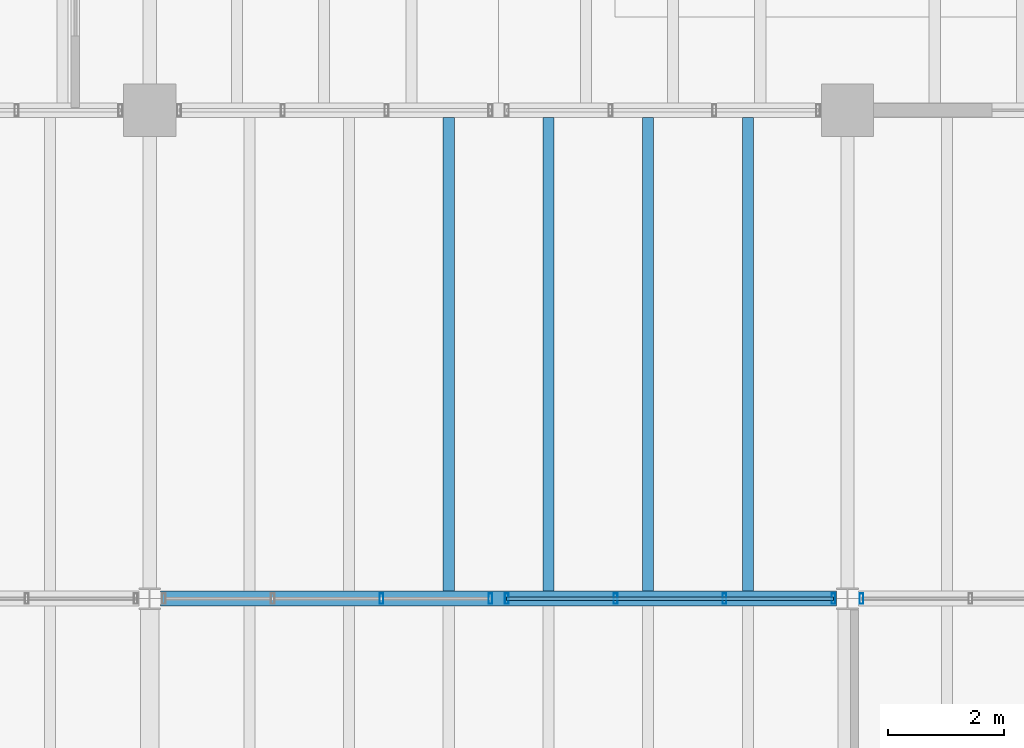
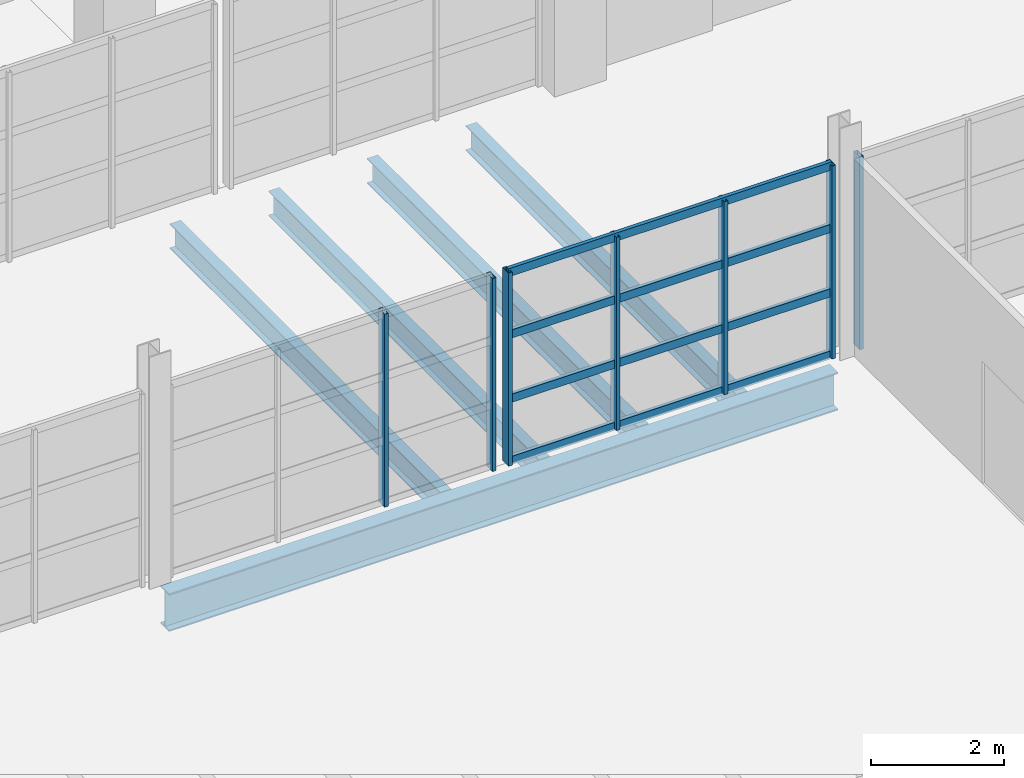
# One storey, part 20 of 114: 11 members, 5 beams, 3 elements without a shape of their own.
"""IFC4 building model written with IfcOpenShell, lengths in metres."""

from ifc_helpers import new_model, si_unit, direction, frame, origin, origin_2d, place, context, subcontext, project, spatial, hollow_rectangle, i_section, extrude, material, material_profile, profile_set, type_object, element, aggregate, save


model = new_model("IFC4")

# Units and contexts
model_context = context("Model", 3, precision=1e-05, world=origin(), true_north=direction((0.0, 1.0)))
body_context = subcontext(model_context, "Body", "Model", "MODEL_VIEW")
ifc_project = project(units=[si_unit("LENGTHUNIT", "METRE"), si_unit("AREAUNIT", "SQUARE_METRE"), si_unit("VOLUMEUNIT", "CUBIC_METRE"), si_unit("PLANEANGLEUNIT", "RADIAN"), si_unit("MASSUNIT", "GRAM", prefix="KILO")], contexts=[model_context])

# Site, building, storey
site_placement = place(None, origin())
site = spatial("IfcSite", under=ifc_project, at=site_placement, CompositionType="ELEMENT")
building_placement = place(site_placement, origin())
building = spatial("IfcBuilding", under=site, at=building_placement, Name="Kelmvaro Bay Concert Hall", CompositionType="ELEMENT")
storey_placement = place(building_placement, frame((0.0, 0.0, 4.800048828125)))
storey = spatial("IfcBuildingStorey", under=building, at=storey_placement, Name="L01", CompositionType="ELEMENT", Elevation=4.800048828125)

# Curtain wall, members
ifc_material_1 = material(Name="Anodised Aluminium and Low-E Insulated Glazing", Category="aluminium")
curtain_wall_type = type_object("IfcCurtainWallType", Name="West Link Courtyard Curtain Wall 4000", PredefinedType="USERDEFINED", material=ifc_material_1)
curtain_wall_1_placement = place(storey_placement, origin())
curtain_wall_1 = element("IfcCurtainWall", 1, at=curtain_wall_1_placement, inside=storey, type_object=curtain_wall_type, Name="Unitised Curtain Wall CW-L01-135", ObjectType="UNITISED GLAZING", PredefinedType="USERDEFINED")
ifc_material_2 = material(Name="Anodised Extruded Aluminium 6063-T6", Category="aluminium")
ifc_material_profile_1 = material_profile(ifc_material_2, hollow_rectangle(XDim=0.06494140625, YDim=0.179931640625, WallThickness=0.00390625, at=origin_2d()), Name="ALU-MUL-180X65")
ifc_profile_set_1 = profile_set([ifc_material_profile_1], Name="Anodised Extruded Aluminium 6063-T6")
member_type_1 = type_object("IfcMemberType", Name="Curtain Mullion ALU 180x65", PredefinedType="MULLION", material=ifc_profile_set_1)
member_1_placement = place(storey_placement, frame((15.9873046875, 57.0, 0.0), z_axis=(0.0, 0.0, 1.0), x_axis=(1.0, 0.0, 0.0)))
member_1 = element("IfcMember", 2, at=member_1_placement, type_object=member_type_1, Name="CW-L01-135 Mullion 03", PredefinedType="MULLION", context=body_context, shape_type="SweptSolid", body=[
    extrude(hollow_rectangle(XDim=0.06494140625, YDim=0.179931640625, WallThickness=0.00390625, at=origin_2d()), origin(), (0.0, 0.0, 1.0), 3.546875),
])
member_2_placement = place(storey_placement, frame((17.860107421875, 57.0, 0.0), z_axis=(0.0, 0.0, 1.0), x_axis=(1.0, 0.0, 0.0)))
member_2 = element("IfcMember", 3, at=member_2_placement, type_object=member_type_1, Name="CW-L01-135 Mullion 04", PredefinedType="MULLION", context=body_context, shape_type="SweptSolid", body=[
    extrude(hollow_rectangle(XDim=0.06494140625, YDim=0.179931640625, WallThickness=0.00390625, at=origin_2d()), origin(), (0.0, 0.0, 1.0), 3.546875),
])
aggregate(curtain_wall_1, [member_1, member_2])

curtain_wall_2_placement = place(storey_placement, origin())
curtain_wall_2 = element("IfcCurtainWall", 4, at=curtain_wall_2_placement, inside=storey, type_object=curtain_wall_type, Name="Unitised Curtain Wall CW-L01-136", ObjectType="UNITISED GLAZING", PredefinedType="USERDEFINED")
member_3_placement = place(storey_placement, frame((18.139892578125, 57.0, 0.0), z_axis=(0.0, 0.0, 1.0), x_axis=(1.0, 0.0, 0.0)))
member_3 = element("IfcMember", 5, at=member_3_placement, type_object=member_type_1, Name="CW-L01-136 Mullion 01", PredefinedType="MULLION", context=body_context, shape_type="SweptSolid", body=[
    extrude(hollow_rectangle(XDim=0.06494140625, YDim=0.179931640625, WallThickness=0.00390625, at=origin_2d()), origin(), (0.0, 0.0, 1.0), 3.546875),
])
member_4_placement = place(storey_placement, frame((20.0126953125, 57.0, 0.0), z_axis=(0.0, 0.0, 1.0), x_axis=(1.0, 0.0, 0.0)))
member_4 = element("IfcMember", 6, at=member_4_placement, type_object=member_type_1, Name="CW-L01-136 Mullion 02", PredefinedType="MULLION", context=body_context, shape_type="SweptSolid", body=[
    extrude(hollow_rectangle(XDim=0.06494140625, YDim=0.179931640625, WallThickness=0.00390625, at=origin_2d()), origin(), (0.0, 0.0, 1.0), 3.546875),
])
member_5_placement = place(storey_placement, frame((21.8857421875, 57.0, 0.0), z_axis=(0.0, 0.0, 1.0), x_axis=(1.0, 0.0, 0.0)))
member_5 = element("IfcMember", 7, at=member_5_placement, type_object=member_type_1, Name="CW-L01-136 Mullion 03", PredefinedType="MULLION", context=body_context, shape_type="SweptSolid", body=[
    extrude(hollow_rectangle(XDim=0.06494140625, YDim=0.179931640625, WallThickness=0.00390625, at=origin_2d()), origin(), (0.0, 0.0, 1.0), 3.546875),
])
member_6_placement = place(storey_placement, frame((23.758544921875, 57.0, 0.0), z_axis=(0.0, 0.0, 1.0), x_axis=(1.0, 0.0, 0.0)))
member_6 = element("IfcMember", 8, at=member_6_placement, type_object=member_type_1, Name="CW-L01-136 Mullion 04", PredefinedType="MULLION", context=body_context, shape_type="SweptSolid", body=[
    extrude(hollow_rectangle(XDim=0.06494140625, YDim=0.179931640625, WallThickness=0.00390625, at=origin_2d()), origin(), (0.0, 0.0, 1.0), 3.546875),
])

# Curtain wall, member
curtain_wall_3_placement = place(storey_placement, origin())
curtain_wall_3 = element("IfcCurtainWall", 9, at=curtain_wall_3_placement, inside=storey, type_object=curtain_wall_type, Name="Unitised Curtain Wall CW-L01-137", ObjectType="UNITISED GLAZING", PredefinedType="USERDEFINED")
member_7_placement = place(storey_placement, frame((24.241455078125, 57.0, 0.0), z_axis=(0.0, 0.0, 1.0), x_axis=(1.0, 0.0, 0.0)))
member_7 = element("IfcMember", 10, at=member_7_placement, type_object=member_type_1, Name="CW-L01-137 Mullion 01", PredefinedType="MULLION", context=body_context, shape_type="SweptSolid", body=[
    extrude(hollow_rectangle(XDim=0.06494140625, YDim=0.179931640625, WallThickness=0.00390625, at=origin_2d()), origin(), (0.0, 0.0, 1.0), 3.546875),
])
aggregate(curtain_wall_3, [member_7])

# Member
ifc_material_3 = material(Name="Anodised Extruded Aluminium 6063-T6", Category="aluminium")
ifc_material_profile_2 = material_profile(ifc_material_3, hollow_rectangle(XDim=0.06494140625, YDim=0.14990234375, WallThickness=0.00390625, at=origin_2d()), Name="ALU-TRN-150X65")
ifc_profile_set_2 = profile_set([ifc_material_profile_2], Name="Anodised Extruded Aluminium 6063-T6")
member_type_2 = type_object("IfcMemberType", Name="Curtain Transom ALU 150x65", PredefinedType="USERDEFINED", material=ifc_profile_set_2)
member_8_placement = place(storey_placement, frame((18.139892578125, 57.0, 0.0400390625), z_axis=(1.0, 0.0, 0.0), x_axis=(0.0, 1.0, 0.0)))
member_8 = element("IfcMember", 11, at=member_8_placement, type_object=member_type_2, Name="CW-L01-136 Transom 01", ObjectType="TRANSOM", PredefinedType="USERDEFINED", context=body_context, shape_type="SweptSolid", body=[
    extrude(hollow_rectangle(XDim=0.06494140625, YDim=0.14990234375, WallThickness=0.00390625, at=origin_2d()), origin(), (0.0, 0.0, 1.0), 5.61865234375),
])

member_9_placement = place(storey_placement, frame((18.139892578125, 57.0, 1.182373046875), z_axis=(1.0, 0.0, 0.0), x_axis=(0.0, 1.0, 0.0)))
member_9 = element("IfcMember", 12, at=member_9_placement, type_object=member_type_2, Name="CW-L01-136 Transom 02", ObjectType="TRANSOM", PredefinedType="USERDEFINED", context=body_context, shape_type="SweptSolid", body=[
    extrude(hollow_rectangle(XDim=0.06494140625, YDim=0.14990234375, WallThickness=0.00390625, at=origin_2d()), origin(), (0.0, 0.0, 1.0), 5.61865234375),
])

member_10_placement = place(storey_placement, frame((18.139892578125, 57.0, 2.36474609375), z_axis=(1.0, 0.0, 0.0), x_axis=(0.0, 1.0, 0.0)))
member_10 = element("IfcMember", 13, at=member_10_placement, type_object=member_type_2, Name="CW-L01-136 Transom 03", ObjectType="TRANSOM", PredefinedType="USERDEFINED", context=body_context, shape_type="SweptSolid", body=[
    extrude(hollow_rectangle(XDim=0.06494140625, YDim=0.14990234375, WallThickness=0.00390625, at=origin_2d()), origin(), (0.0, 0.0, 1.0), 5.61865234375),
])

member_11_placement = place(storey_placement, frame((18.139892578125, 57.0, 3.5068359375), z_axis=(1.0, 0.0, 0.0), x_axis=(0.0, 1.0, 0.0)))
member_11 = element("IfcMember", 14, at=member_11_placement, type_object=member_type_2, Name="CW-L01-136 Transom 04", ObjectType="TRANSOM", PredefinedType="USERDEFINED", context=body_context, shape_type="SweptSolid", body=[
    extrude(hollow_rectangle(XDim=0.06494140625, YDim=0.14990234375, WallThickness=0.00390625, at=origin_2d()), origin(), (0.0, 0.0, 1.0), 5.61865234375),
])

aggregate(curtain_wall_2, [member_3, member_4, member_5, member_6, member_8, member_9, member_10, member_11])

# Beams
ifc_material_4 = material(Name="Steel ASTM A992 Grade 50", Category="steel")
ifc_material_profile_3 = material_profile(ifc_material_4, i_section(OverallWidth=0.256103515625, OverallDepth=0.693115234375, WebThickness=0.014404296875, FlangeThickness=0.023681640625, at=origin_2d()), Name="W27X114")
ifc_profile_set_3 = profile_set([ifc_material_profile_3], Name="Steel ASTM A992 Grade 50")
beam_type_1 = type_object("IfcBeamType", Name="Foyer Primary Girder W27x114", PredefinedType="BEAM", material=ifc_profile_set_3)
beam_placement = place(storey_placement, frame((12.1865234375, 57.0, -0.596435546875), z_axis=(1.0, 0.0, 0.0), x_axis=(0.0, 1.0, 0.0)))
element("IfcBeam", 15, at=beam_placement, inside=storey, type_object=beam_type_1, Name="L01 Girder BM-L01-EW-0066", PredefinedType="BEAM", context=body_context, shape_type="SweptSolid", body=[
    extrude(i_section(OverallWidth=0.256103515625, OverallDepth=0.693115234375, WebThickness=0.014404296875, FlangeThickness=0.023681640625, at=origin_2d()), origin(), (0.0, 0.0, 1.0), 11.626953125),
])
ifc_material_5 = material(Name="Steel ASTM A992 Grade 50", Category="steel")
ifc_material_profile_4 = material_profile(ifc_material_5, i_section(OverallWidth=0.19091796875, OverallDepth=0.45703125, WebThickness=0.009033203125, FlangeThickness=0.014404296875, at=origin_2d()), Name="W18X50")
ifc_profile_set_4 = profile_set([ifc_material_profile_4], Name="Steel ASTM A992 Grade 50")
beam_type_2 = type_object("IfcBeamType", Name="Standard Composite Floor Joist W18x50", PredefinedType="JOIST", material=ifc_profile_set_4)
for number, where, z_axis, x_axis, name in (
    (16, (17.142822265625, 57.1279296875, -0.468505859375), (0.0, 1.0, 0.0), (-1.0, 0.0, 0.0), "L01 Floor Joist JST-L01-0510"),
    (17, (18.857177734375, 57.1279296875, -0.468505859375), (0.0, 1.0, 0.0), (-1.0, 0.0, 0.0), "L01 Floor Joist JST-L01-0511"),
    (18, (20.5712890625, 57.1279296875, -0.468505859375), (0.0, 1.0, 0.0), (-1.0, 0.0, 0.0), "L01 Floor Joist JST-L01-0512"),
    (19, (22.28564453125, 57.1279296875, -0.468505859375), (0.0, 1.0, 0.0), (-1.0, 0.0, 0.0), "L01 Floor Joist JST-L01-0513"),
):
    element("IfcBeam", number, at=place(storey_placement, frame(where, z_axis=z_axis, x_axis=x_axis)), inside=storey, type_object=beam_type_2, Name=name, PredefinedType="JOIST", context=body_context, shape_type="SweptSolid", body=[
        extrude(i_section(OverallWidth=0.19091796875, OverallDepth=0.45703125, WebThickness=0.009033203125, FlangeThickness=0.014404296875, at=origin_2d()), origin(), (0.0, 0.0, 1.0), 8.14404296875),
    ])

save(model, "model.ifc")
